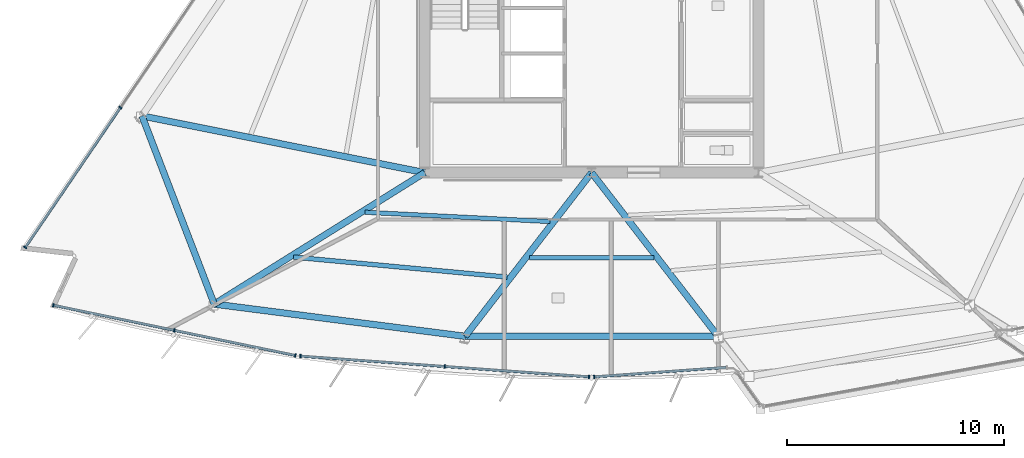
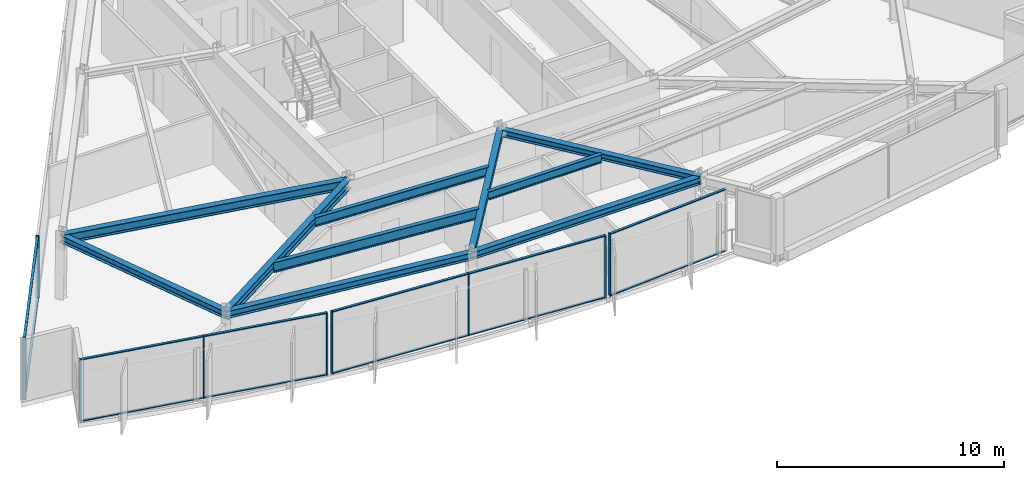
# One storey, part 2 of 12: 21 members, 10 beams, 4 elements without a shape of their own.
"""IFC4 building model written with IfcOpenShell, lengths in metres."""

from ifc_helpers import new_model, si_unit, direction, frame, origin, origin_2d, place, context, subcontext, project, spatial, rectangle, i_section, extrude, material, material_profile, profile_set, type_object, element, aggregate, save


model = new_model("IFC4")

# Units and contexts
model_context = context("Model", 3, precision=1e-05, world=origin(), true_north=direction((0.0, 1.0)))
body_context = subcontext(model_context, "Body", "Model", "MODEL_VIEW")
ifc_project = project(units=[si_unit("LENGTHUNIT", "METRE"), si_unit("AREAUNIT", "SQUARE_METRE"), si_unit("VOLUMEUNIT", "CUBIC_METRE"), si_unit("PLANEANGLEUNIT", "RADIAN"), si_unit("MASSUNIT", "GRAM", prefix="KILO")], contexts=[model_context])

# Site, building, storey
site_placement = place(None, origin())
site = spatial("IfcSite", under=ifc_project, at=site_placement, CompositionType="ELEMENT")
building_placement = place(site_placement, origin())
building = spatial("IfcBuilding", under=site, at=building_placement, Name="Savorim Split Tower", CompositionType="ELEMENT")
storey_placement = place(building_placement, frame((0.0, 0.0, 171.0)))
storey = spatial("IfcBuildingStorey", under=building, at=storey_placement, Name="L45", CompositionType="ELEMENT", Elevation=171.0)

# Beams
ifc_material_1 = material(Name="Steel S355", Category="steel")
ifc_material_profile_1 = material_profile(ifc_material_1, i_section(OverallWidth=0.18994140625, OverallDepth=0.449951171875, WebThickness=0.009521484375, FlangeThickness=0.0146484375, FilletRadius=0.02099609375, at=origin_2d()), Name="IPE 450")
ifc_profile_set_1 = profile_set([ifc_material_profile_1], Name="Steel S355")
beam_type_1 = type_object("IfcBeamType", Name="BM-JST-IPE450", PredefinedType="JOIST", material=ifc_profile_set_1)
beam_1_placement = place(storey_placement, frame((-2.875, -13.326904296875, 3.125), z_axis=(1.0, 0.0, 0.0), x_axis=(0.0, 1.0, 0.0)))
element("IfcBeam", 1, at=beam_1_placement, inside=storey, type_object=beam_type_1, Name="L45 Secondary Floor Joist JS-03", PredefinedType="JOIST", context=body_context, shape_type="SweptSolid", body=[
    extrude(i_section(OverallWidth=0.18994140625, OverallDepth=0.449951171875, WebThickness=0.009521484375, FlangeThickness=0.0146484375, FilletRadius=0.02099609375, at=origin_2d()), origin(), (0.0, 0.0, 1.0), 5.75),
])
ifc_material_profile_2 = material_profile(ifc_material_1, i_section(OverallWidth=0.199951171875, OverallDepth=0.5, WebThickness=0.01025390625, FlangeThickness=0.01611328125, FilletRadius=0.02099609375, at=origin_2d()), Name="IPE 500")
ifc_profile_set_2 = profile_set([ifc_material_profile_2], Name="Steel S355")
beam_type_2 = type_object("IfcBeamType", Name="BM-JST-IPE500", PredefinedType="JOIST", material=ifc_profile_set_2)
beam_2_placement = place(storey_placement, frame((-10.45458984375, -11.2275390625, 3.10009765625), z_axis=(0.998734841229, -0.0502863492, 0.0), x_axis=(0.0502863492, 0.998734841229, 0.0)))
element("IfcBeam", 2, at=beam_2_placement, inside=storey, type_object=beam_type_2, Name="L45 Secondary Floor Joist JS-02", PredefinedType="JOIST", context=body_context, shape_type="SweptSolid", body=[
    extrude(i_section(OverallWidth=0.199951171875, OverallDepth=0.5, WebThickness=0.01025390625, FlangeThickness=0.01611328125, FilletRadius=0.02099609375, at=origin_2d()), origin(), (0.0, 0.0, 1.0), 8.554443359375),
])
ifc_material_profile_3 = material_profile(ifc_material_1, i_section(OverallWidth=0.2099609375, OverallDepth=0.550048828125, WebThickness=0.010986328125, FlangeThickness=0.01708984375, FilletRadius=0.02392578125, at=origin_2d()), Name="IPE 550")
ifc_profile_set_3 = profile_set([ifc_material_profile_3], Name="Steel S355")
beam_type_3 = type_object("IfcBeamType", Name="BM-JST-IPE550", PredefinedType="JOIST", material=ifc_profile_set_3)
beam_3_placement = place(storey_placement, frame((-13.758056640625, -13.296875, 3.074951171875), z_axis=(0.995665091227, -0.093010892433, 0.0), x_axis=(0.093010892433, 0.995665091227, 0.0)))
element("IfcBeam", 3, at=beam_3_placement, inside=storey, type_object=beam_type_3, Name="L45 Secondary Floor Joist JS-01", PredefinedType="JOIST", context=body_context, shape_type="SweptSolid", body=[
    extrude(i_section(OverallWidth=0.2099609375, OverallDepth=0.550048828125, WebThickness=0.010986328125, FlangeThickness=0.01708984375, FilletRadius=0.02392578125, at=origin_2d()), origin(), (0.0, 0.0, 1.0), 9.90625),
])
ifc_material_profile_4 = material_profile(ifc_material_1, i_section(OverallWidth=0.300048828125, OverallDepth=0.360107421875, WebThickness=0.012451171875, FlangeThickness=0.0224609375, FilletRadius=0.027099609375, at=origin_2d()), Name="HEB 360")
ifc_profile_set_4 = profile_set([ifc_material_profile_4], Name="Steel S355")
beam_type_4 = type_object("IfcBeamType", Name="BM-PRI-HEB360", PredefinedType="BEAM", material=ifc_profile_set_4)
for number, where, z_axis, x_axis, name in (
    (4, (-5.83642578125, -16.951904296875, 3.169921875), (0.611499187864, 0.791245058905, 0.0), (-0.791245058905, 0.611499187864, 0.0), "L45 Primary Floor Girder RG-02"),
    (5, (5.83642578125, -16.951904296875, 3.169921875), (-0.611499187864, 0.791245058905, 0.0), (-0.791245058905, -0.611499187864, 0.0), "L45 Primary Floor Girder RG-03"),
):
    element("IfcBeam", number, at=place(storey_placement, frame(where, z_axis=z_axis, x_axis=x_axis)), inside=storey, type_object=beam_type_4, Name=name, PredefinedType="BEAM", context=body_context, shape_type="SweptSolid", body=[
        extrude(i_section(OverallWidth=0.300048828125, OverallDepth=0.360107421875, WebThickness=0.012451171875, FlangeThickness=0.0224609375, FilletRadius=0.027099609375, at=origin_2d()), origin(), (0.0, 0.0, 1.0), 9.54443359375),
    ])
ifc_material_profile_5 = material_profile(ifc_material_1, i_section(OverallWidth=0.300048828125, OverallDepth=0.5, WebThickness=0.014404296875, FlangeThickness=0.028076171875, FilletRadius=0.027099609375, at=origin_2d()), Name="HEB 500")
ifc_profile_set_5 = profile_set([ifc_material_profile_5], Name="Steel S355")
beam_type_5 = type_object("IfcBeamType", Name="BM-PRI-HEB500", PredefinedType="BEAM", material=ifc_profile_set_5)
beam_4_placement = place(storey_placement, frame((-17.41455078125, -15.46533203125, 3.10009765625), z_axis=(0.84824132915, 0.529609901269, 0.0), x_axis=(-0.529609901269, 0.84824132915, 0.0)))
element("IfcBeam", 6, at=beam_4_placement, inside=storey, type_object=beam_type_5, Name="L45 Primary Floor Girder RG-01", PredefinedType="BEAM", context=body_context, shape_type="SweptSolid", body=[
    extrude(i_section(OverallWidth=0.300048828125, OverallDepth=0.5, WebThickness=0.014404296875, FlangeThickness=0.028076171875, FilletRadius=0.027099609375, at=origin_2d()), origin(), (0.0, 0.0, 1.0), 11.45263671875),
])
beam_5_placement = place(storey_placement, frame((-20.75, -6.781005859375, 3.10009765625), z_axis=(0.980452069295, -0.196758074333, 0.0), x_axis=(0.196758074333, 0.980452069295, 0.0)))
element("IfcBeam", 7, at=beam_5_placement, inside=storey, type_object=beam_type_5, Name="L45 Primary Floor Girder RG-10", PredefinedType="BEAM", context=body_context, shape_type="SweptSolid", body=[
    extrude(i_section(OverallWidth=0.300048828125, OverallDepth=0.5, WebThickness=0.014404296875, FlangeThickness=0.028076171875, FilletRadius=0.027099609375, at=origin_2d()), origin(), (0.0, 0.0, 1.0), 13.310302734375),
])
ifc_material_profile_6 = material_profile(ifc_material_1, i_section(OverallWidth=0.300048828125, OverallDepth=0.389892578125, WebThickness=0.010986328125, FlangeThickness=0.01904296875, FilletRadius=0.027099609375, at=origin_2d()), Name="HEA 400")
ifc_profile_set_6 = profile_set([ifc_material_profile_6], Name="Steel S355")
beam_type_6 = type_object("IfcBeamType", Name="BM-SPN-HEA400", PredefinedType="SPANDREL", material=ifc_profile_set_6)
beam_6_placement = place(storey_placement, frame((-17.41455078125, -15.46533203125, 3.155029296875), z_axis=(0.99185790531, -0.127349502055, 0.0), x_axis=(0.127349502055, 0.99185790531, 0.0)))
element("IfcBeam", 8, at=beam_6_placement, inside=storey, type_object=beam_type_6, Name="L45 Perimeter Spandrel Beam 1", PredefinedType="SPANDREL", context=body_context, shape_type="SweptSolid", body=[
    extrude(i_section(OverallWidth=0.300048828125, OverallDepth=0.389892578125, WebThickness=0.010986328125, FlangeThickness=0.01904296875, FilletRadius=0.027099609375, at=origin_2d()), origin(), (0.0, 0.0, 1.0), 11.673095703125),
])
beam_7_placement = place(storey_placement, frame((-5.83642578125, -16.951904296875, 3.155029296875), z_axis=(1.0, 0.0, 0.0), x_axis=(0.0, 1.0, 0.0)))
element("IfcBeam", 9, at=beam_7_placement, inside=storey, type_object=beam_type_6, Name="L45 Perimeter Spandrel Beam 2", PredefinedType="SPANDREL", context=body_context, shape_type="SweptSolid", body=[
    extrude(i_section(OverallWidth=0.300048828125, OverallDepth=0.389892578125, WebThickness=0.010986328125, FlangeThickness=0.01904296875, FilletRadius=0.027099609375, at=origin_2d()), origin(), (0.0, 0.0, 1.0), 11.6728515625),
])
beam_8_placement = place(storey_placement, frame((-20.75, -6.781005859375, 3.155029296875), z_axis=(0.358541149128, -0.933513922972, 0.0), x_axis=(0.933513922972, 0.358541149128, 0.0)))
element("IfcBeam", 10, at=beam_8_placement, inside=storey, type_object=beam_type_6, Name="L45 Perimeter Spandrel Beam 10", PredefinedType="SPANDREL", context=body_context, shape_type="SweptSolid", body=[
    extrude(i_section(OverallWidth=0.300048828125, OverallDepth=0.389892578125, WebThickness=0.010986328125, FlangeThickness=0.01904296875, FilletRadius=0.027099609375, at=origin_2d()), origin(), (0.0, 0.0, 1.0), 9.302734375),
])

# Curtain wall, members
ifc_material_2 = material(Name="Dark Ceramic-Fritted Insulated Glass", Category="glass")
curtain_wall_type = type_object("IfcCurtainWallType", Name="CW-TWR-FRIT-B", PredefinedType="NOTDEFINED", material=ifc_material_2)
curtain_wall_1_placement = place(storey_placement, origin())
curtain_wall_1 = element("IfcCurtainWall", 11, at=curtain_wall_1_placement, inside=storey, type_object=curtain_wall_type, Name="L45 Curtain Wall CW-L45-SF1A", PredefinedType="NOTDEFINED")
ifc_material_3 = material(Name="Charcoal Anodised Aluminium", Category="aluminium")
ifc_material_profile_7 = material_profile(ifc_material_3, rectangle(XDim=0.159912109375, YDim=0.06005859375, at=origin_2d()), Name="ALU-M 160x60")
ifc_profile_set_7 = profile_set([ifc_material_profile_7], Name="Charcoal Anodised Aluminium")
member_type_1 = type_object("IfcMemberType", Name="CWM-160x60", PredefinedType="MULLION", material=ifc_profile_set_7)
member_1_placement = place(storey_placement, frame((-24.84033203125, -15.516845703125, 0.0), z_axis=(0.0, 0.0, 1.0), x_axis=(0.20321645683, 0.979133837467, 0.0)))
member_1 = element("IfcMember", 12, at=member_1_placement, type_object=member_type_1, Name="CW-03 mullion 1", PredefinedType="MULLION", context=body_context, shape_type="SweptSolid", body=[
    extrude(rectangle(XDim=0.159912109375, YDim=0.06005859375, at=origin_2d()), origin(), (0.0, 0.0, 1.0), 3.35009765625),
])
member_2_placement = place(storey_placement, frame((-19.257080078125, -16.67578125, 0.0), z_axis=(0.0, 0.0, 1.0), x_axis=(0.20321645683, 0.979133837467, 0.0)))
member_2 = element("IfcMember", 13, at=member_2_placement, type_object=member_type_1, Name="CW-03 mullion 2", PredefinedType="MULLION", context=body_context, shape_type="SweptSolid", body=[
    extrude(rectangle(XDim=0.159912109375, YDim=0.06005859375, at=origin_2d()), origin(), (0.0, 0.0, 1.0), 3.35009765625),
])
member_3_placement = place(storey_placement, frame((-13.673583984375, -17.83447265625, 0.0), z_axis=(0.0, 0.0, 1.0), x_axis=(0.20321645683, 0.979133837467, 0.0)))
member_3 = element("IfcMember", 14, at=member_3_placement, type_object=member_type_1, Name="CW-03 mullion 3", PredefinedType="MULLION", context=body_context, shape_type="SweptSolid", body=[
    extrude(rectangle(XDim=0.159912109375, YDim=0.06005859375, at=origin_2d()), origin(), (0.0, 0.0, 1.0), 3.35009765625),
])

curtain_wall_2_placement = place(storey_placement, origin())
curtain_wall_2 = element("IfcCurtainWall", 15, at=curtain_wall_2_placement, inside=storey, type_object=curtain_wall_type, Name="L45 Curtain Wall CW-L45-SF2A", PredefinedType="NOTDEFINED")
member_4_placement = place(storey_placement, frame((-13.4326171875, -17.8681640625, 0.0), z_axis=(0.0, 0.0, 1.0), x_axis=(0.07155928658, 0.997436348097, 0.0)))
member_4 = element("IfcMember", 16, at=member_4_placement, type_object=member_type_1, Name="CW-03 mullion 1", PredefinedType="MULLION", context=body_context, shape_type="SweptSolid", body=[
    extrude(rectangle(XDim=0.159912109375, YDim=0.06005859375, at=origin_2d()), origin(), (0.0, 0.0, 1.0), 3.35009765625),
])
member_5_placement = place(storey_placement, frame((-6.77685546875, -18.345458984375, 0.0), z_axis=(0.0, 0.0, 1.0), x_axis=(0.07155928658, 0.997436348097, 0.0)))
member_5 = element("IfcMember", 17, at=member_5_placement, type_object=member_type_1, Name="CW-03 mullion 2", PredefinedType="MULLION", context=body_context, shape_type="SweptSolid", body=[
    extrude(rectangle(XDim=0.159912109375, YDim=0.06005859375, at=origin_2d()), origin(), (0.0, 0.0, 1.0), 3.35009765625),
])
member_6_placement = place(storey_placement, frame((-0.12109375, -18.822998046875, 0.0), z_axis=(0.0, 0.0, 1.0), x_axis=(0.07155928658, 0.997436348097, 0.0)))
member_6 = element("IfcMember", 18, at=member_6_placement, type_object=member_type_1, Name="CW-03 mullion 3", PredefinedType="MULLION", context=body_context, shape_type="SweptSolid", body=[
    extrude(rectangle(XDim=0.159912109375, YDim=0.06005859375, at=origin_2d()), origin(), (0.0, 0.0, 1.0), 3.35009765625),
])

# Curtain wall, member
curtain_wall_3_placement = place(storey_placement, origin())
curtain_wall_3 = element("IfcCurtainWall", 19, at=curtain_wall_3_placement, inside=storey, type_object=curtain_wall_type, Name="L45 Curtain Wall CW-L45-SF3A", PredefinedType="NOTDEFINED")
member_7_placement = place(storey_placement, frame((0.12109375, -18.822998046875, 0.0), z_axis=(0.0, 0.0, 1.0), x_axis=(-0.07156138189, 0.99743619777, 0.0)))
member_7 = element("IfcMember", 20, at=member_7_placement, type_object=member_type_1, Name="CW-03 mullion 1", PredefinedType="MULLION", context=body_context, shape_type="SweptSolid", body=[
    extrude(rectangle(XDim=0.159912109375, YDim=0.06005859375, at=origin_2d()), origin(), (0.0, 0.0, 1.0), 3.35009765625),
])

# Curtain wall, members
curtain_wall_4_placement = place(storey_placement, origin())
curtain_wall_4 = element("IfcCurtainWall", 21, at=curtain_wall_4_placement, inside=storey, type_object=curtain_wall_type, Name="L45 Curtain Wall CW-L45-WEST", PredefinedType="NOTDEFINED")
member_8_placement = place(storey_placement, frame((-21.74560546875, -6.392333984375, 0.0), z_axis=(0.0, 0.0, 1.0), x_axis=(0.826819248854, -0.562467714384, 0.0)))
member_8 = element("IfcMember", 22, at=member_8_placement, type_object=member_type_1, Name="CW-03 mullion 4", PredefinedType="MULLION", context=body_context, shape_type="SweptSolid", body=[
    extrude(rectangle(XDim=0.159912109375, YDim=0.06005859375, at=origin_2d()), origin(), (0.0, 0.0, 1.0), 3.35009765625),
])
member_9_placement = place(storey_placement, frame((-26.13818359375, -12.849365234375, 0.0), z_axis=(0.0, 0.0, 1.0), x_axis=(0.826819248854, -0.562467714384, 0.0)))
member_9 = element("IfcMember", 23, at=member_9_placement, type_object=member_type_1, Name="CW-03 mullion 5", PredefinedType="MULLION", context=body_context, shape_type="SweptSolid", body=[
    extrude(rectangle(XDim=0.159912109375, YDim=0.06005859375, at=origin_2d()), origin(), (0.0, 0.0, 1.0), 3.35009765625),
])

# Member
ifc_material_profile_8 = material_profile(ifc_material_3, rectangle(XDim=0.1201171875, YDim=0.050048828125, at=origin_2d()), Name="ALU-T 120x50")
ifc_profile_set_8 = profile_set([ifc_material_profile_8], Name="Charcoal Anodised Aluminium")
member_type_2 = type_object("IfcMemberType", Name="CWT-120x50", PredefinedType="USERDEFINED", material=ifc_profile_set_8)
member_10_placement = place(storey_placement, frame((-24.81103515625, -15.52294921875, 0.02490234375), z_axis=(0.979130263576, -0.203233675727, 0.0), x_axis=(0.203233675727, 0.979130263576, 0.0)))
member_10 = element("IfcMember", 24, at=member_10_placement, type_object=member_type_2, Name="CW-03 transom 1.1", ObjectType="TRANSOM", PredefinedType="USERDEFINED", context=body_context, shape_type="SweptSolid", body=[
    extrude(rectangle(XDim=0.1201171875, YDim=0.050048828125, at=origin_2d()), origin(), (0.0, 0.0, 1.0), 5.642333984375),
])

member_11_placement = place(storey_placement, frame((-24.81103515625, -15.52294921875, 3.324951171875), z_axis=(0.979130263576, -0.203233675727, 0.0), x_axis=(0.203233675727, 0.979130263576, 0.0)))
member_11 = element("IfcMember", 25, at=member_11_placement, type_object=member_type_2, Name="CW-03 transom 1.2", ObjectType="TRANSOM", PredefinedType="USERDEFINED", context=body_context, shape_type="SweptSolid", body=[
    extrude(rectangle(XDim=0.1201171875, YDim=0.050048828125, at=origin_2d()), origin(), (0.0, 0.0, 1.0), 5.642333984375),
])

member_12_placement = place(storey_placement, frame((-19.2275390625, -16.681884765625, 0.02490234375), z_axis=(0.979137086362, -0.203200802437, 0.0), x_axis=(0.203200802437, 0.979137086362, 0.0)))
member_12 = element("IfcMember", 26, at=member_12_placement, type_object=member_type_2, Name="CW-03 transom 2.1", ObjectType="TRANSOM", PredefinedType="USERDEFINED", context=body_context, shape_type="SweptSolid", body=[
    extrude(rectangle(XDim=0.1201171875, YDim=0.050048828125, at=origin_2d()), origin(), (0.0, 0.0, 1.0), 5.64208984375),
])

member_13_placement = place(storey_placement, frame((-19.2275390625, -16.681884765625, 3.324951171875), z_axis=(0.979137086362, -0.203200802437, 0.0), x_axis=(0.203200802437, 0.979137086362, 0.0)))
member_13 = element("IfcMember", 27, at=member_13_placement, type_object=member_type_2, Name="CW-03 transom 2.2", ObjectType="TRANSOM", PredefinedType="USERDEFINED", context=body_context, shape_type="SweptSolid", body=[
    extrude(rectangle(XDim=0.1201171875, YDim=0.050048828125, at=origin_2d()), origin(), (0.0, 0.0, 1.0), 5.64208984375),
])

aggregate(curtain_wall_1, [member_1, member_2, member_3, member_10, member_11, member_12, member_13])

member_14_placement = place(storey_placement, frame((-13.402587890625, -17.8701171875, 0.02490234375), z_axis=(0.997434277973, -0.071588135364, 0.0), x_axis=(0.071588135364, 0.997434277973, 0.0)))
member_14 = element("IfcMember", 28, at=member_14_placement, type_object=member_type_2, Name="CW-03 transom 1.1", ObjectType="TRANSOM", PredefinedType="USERDEFINED", context=body_context, shape_type="SweptSolid", body=[
    extrude(rectangle(XDim=0.1201171875, YDim=0.050048828125, at=origin_2d()), origin(), (0.0, 0.0, 1.0), 6.612548828125),
])

member_15_placement = place(storey_placement, frame((-13.402587890625, -17.8701171875, 3.324951171875), z_axis=(0.997434277973, -0.071588135364, 0.0), x_axis=(0.071588135364, 0.997434277973, 0.0)))
member_15 = element("IfcMember", 29, at=member_15_placement, type_object=member_type_2, Name="CW-03 transom 1.2", ObjectType="TRANSOM", PredefinedType="USERDEFINED", context=body_context, shape_type="SweptSolid", body=[
    extrude(rectangle(XDim=0.1201171875, YDim=0.050048828125, at=origin_2d()), origin(), (0.0, 0.0, 1.0), 6.612548828125),
])

member_16_placement = place(storey_placement, frame((-6.746826171875, -18.34765625, 0.02490234375), z_axis=(0.997436913566, -0.071551404297, 0.0), x_axis=(0.071551404297, 0.997436913566, 0.0)))
member_16 = element("IfcMember", 30, at=member_16_placement, type_object=member_type_2, Name="CW-03 transom 2.1", ObjectType="TRANSOM", PredefinedType="USERDEFINED", context=body_context, shape_type="SweptSolid", body=[
    extrude(rectangle(XDim=0.1201171875, YDim=0.050048828125, at=origin_2d()), origin(), (0.0, 0.0, 1.0), 6.612548828125),
])

member_17_placement = place(storey_placement, frame((-6.746826171875, -18.34765625, 3.324951171875), z_axis=(0.997436913566, -0.071551404297, 0.0), x_axis=(0.071551404297, 0.997436913566, 0.0)))
member_17 = element("IfcMember", 31, at=member_17_placement, type_object=member_type_2, Name="CW-03 transom 2.2", ObjectType="TRANSOM", PredefinedType="USERDEFINED", context=body_context, shape_type="SweptSolid", body=[
    extrude(rectangle(XDim=0.1201171875, YDim=0.050048828125, at=origin_2d()), origin(), (0.0, 0.0, 1.0), 6.612548828125),
])

aggregate(curtain_wall_2, [member_4, member_5, member_6, member_14, member_15, member_16, member_17])

member_18_placement = place(storey_placement, frame((0.151123046875, -18.82080078125, 0.02490234375), z_axis=(0.997437848201, 0.071538374156, 0.0), x_axis=(-0.071538374156, 0.997437848201, 0.0)))
member_18 = element("IfcMember", 32, at=member_18_placement, type_object=member_type_2, Name="CW-03 transom 1.1", ObjectType="TRANSOM", PredefinedType="USERDEFINED", context=body_context, shape_type="SweptSolid", body=[
    extrude(rectangle(XDim=0.1201171875, YDim=0.050048828125, at=origin_2d()), origin(), (0.0, 0.0, 1.0), 6.07470703125),
])

member_19_placement = place(storey_placement, frame((0.151123046875, -18.82080078125, 3.324951171875), z_axis=(0.997437848201, 0.071538374156, 0.0), x_axis=(-0.071538374156, 0.997437848201, 0.0)))
member_19 = element("IfcMember", 33, at=member_19_placement, type_object=member_type_2, Name="CW-03 transom 1.2", ObjectType="TRANSOM", PredefinedType="USERDEFINED", context=body_context, shape_type="SweptSolid", body=[
    extrude(rectangle(XDim=0.1201171875, YDim=0.050048828125, at=origin_2d()), origin(), (0.0, 0.0, 1.0), 6.07470703125),
])

aggregate(curtain_wall_3, [member_7, member_18, member_19])

member_20_placement = place(storey_placement, frame((-21.762451171875, -6.4169921875, 0.02490234375), z_axis=(-0.56245477499, -0.826828051103, 0.0), x_axis=(0.826828051103, -0.56245477499, 0.0)))
member_20 = element("IfcMember", 34, at=member_20_placement, type_object=member_type_2, Name="CW-03 transom 4.1", ObjectType="TRANSOM", PredefinedType="USERDEFINED", context=body_context, shape_type="SweptSolid", body=[
    extrude(rectangle(XDim=0.1201171875, YDim=0.050048828125, at=origin_2d()), origin(), (0.0, 0.0, 1.0), 7.749755859375),
])

member_21_placement = place(storey_placement, frame((-21.762451171875, -6.4169921875, 3.324951171875), z_axis=(-0.56245477499, -0.826828051103, 0.0), x_axis=(0.826828051103, -0.56245477499, 0.0)))
member_21 = element("IfcMember", 35, at=member_21_placement, type_object=member_type_2, Name="CW-03 transom 4.2", ObjectType="TRANSOM", PredefinedType="USERDEFINED", context=body_context, shape_type="SweptSolid", body=[
    extrude(rectangle(XDim=0.1201171875, YDim=0.050048828125, at=origin_2d()), origin(), (0.0, 0.0, 1.0), 7.749755859375),
])

aggregate(curtain_wall_4, [member_8, member_9, member_20, member_21])

save(model, "model.ifc")
